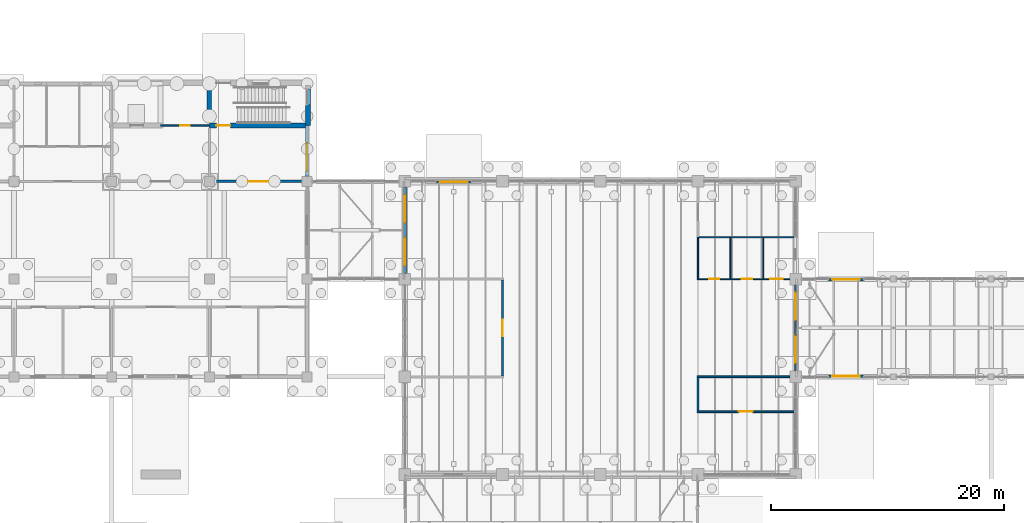
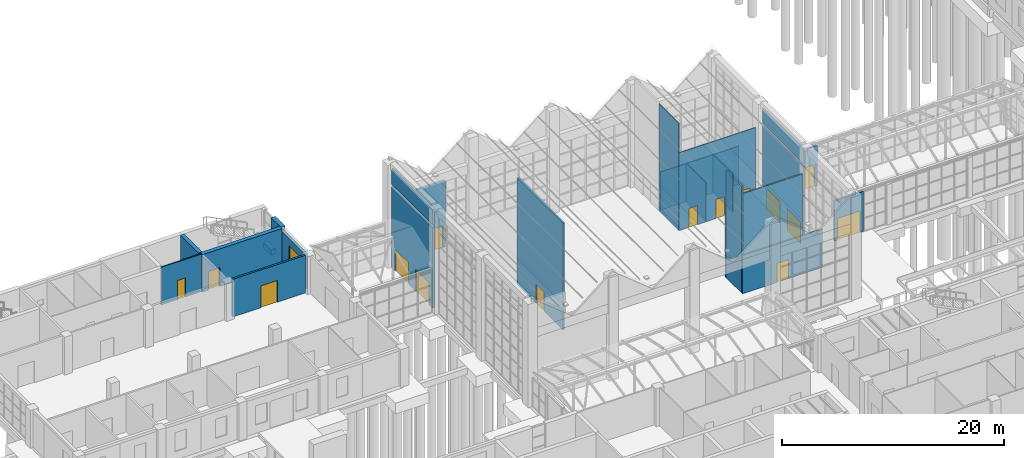
# One storey, part 110 of 138: 23 walls, 15 doors, 1 window, 16 openings.
"""IFC4 building model written with IfcOpenShell, lengths in metres."""

from ifc_helpers import new_model, si_unit, direction, frame, frame_2d, origin, place, context, subcontext, project, spatial, rectangle, extrude, material, layer, layer_set, type_object, element, fill, save


model = new_model("IFC4")

# Units and contexts
model_context = context("Model", 3, precision=1e-05, world=origin(), true_north=direction((0.0, 1.0)))
body_context = subcontext(model_context, "Body", "Model", "MODEL_VIEW")
ifc_project = project(units=[si_unit("LENGTHUNIT", "METRE"), si_unit("AREAUNIT", "SQUARE_METRE"), si_unit("VOLUMEUNIT", "CUBIC_METRE"), si_unit("PLANEANGLEUNIT", "RADIAN"), si_unit("MASSUNIT", "GRAM", prefix="KILO")], contexts=[model_context])

# Site, building, storey
site_placement = place(None, origin())
site = spatial("IfcSite", under=ifc_project, at=site_placement, CompositionType="ELEMENT")
building_placement = place(site_placement, origin())
building = spatial("IfcBuilding", under=site, at=building_placement, Name="Yavir Park General Hospital", CompositionType="ELEMENT")
storey_placement = place(building_placement, origin())
storey = spatial("IfcBuildingStorey", under=building, at=storey_placement, Name="L00", CompositionType="ELEMENT", Elevation=0.0)

# Wall, opening, door
ifc_material_1 = material(Name="Double-leaf gypsum board acoustic partition on staggered studs")
ifc_layer_1 = layer(ifc_material_1, 0.175048828125)
ifc_layer_set_1 = layer_set([ifc_layer_1], Name="Double-leaf gypsum board acoustic partition on staggered studs")
wall_type_1 = type_object("IfcWallType", Name="Acoustic partition 175", PredefinedType="PARTITIONING", material=ifc_layer_set_1)
wall_1_placement = place(storey_placement, frame((84.0, 50.487548828125, 0.0), z_axis=(0.0, 0.0, 1.0), x_axis=(0.0, 1.0, 0.0)))
wall_1 = element("IfcWall", 1, at=wall_1_placement, inside=storey, type_object=wall_type_1, Name="AP175 L00-407", PredefinedType="PARTITIONING", context=body_context, shape_type="SweptSolid", body=[
    extrude(rectangle(XDim=8.224853515625, YDim=0.175048828125, at=frame_2d((4.1123046875, 0.0))), origin(), (0.0, 0.0, 1.0), 11.717041015625),
])
opening_1_placement = place(wall_1_placement, frame((3.41259765625, 0.0, 0.0)))
opening_1 = element("IfcOpeningElement", 2, at=opening_1_placement, cuts=wall_1, Name="Opening L00.D202", PredefinedType="OPENING", context=body_context, shape_type="SweptSolid", body=[
    extrude(rectangle(XDim=1.39990234375, YDim=2.10009765625, at=frame_2d((0.699951171875, 1.050048828125))), frame((0.0, 0.097412109375, 0.0), z_axis=(0.0, -1.0, 0.0), x_axis=(1.0, 0.0, 0.0)), (0.0, 0.0, 1.0), 0.195068359375),
])
ifc_material_2 = material(Name="Hollow metal frame, solid-core timber leaf", Category="wood")
door_type_1 = type_object("IfcDoorType", Name="Double swing door 1400 x 2100", OperationType="DOUBLE_DOOR_SINGLE_SWING", PredefinedType="DOOR", material=ifc_material_2)
door_1_placement = place(opening_1_placement, origin())
door_1 = element("IfcDoor", 3, at=door_1_placement, inside=storey, type_object=door_type_1, Name="L00.D202", OperationType="SINGLE_SWING_RIGHT", OverallHeight=2.10009765625, OverallWidth=1.39990234375, PredefinedType="DOOR", context=body_context, shape_type="SweptSolid", body=[
    extrude(rectangle(XDim=1.39990234375, YDim=2.10009765625, at=frame_2d((0.699951171875, 1.050048828125))), frame((0.0, 0.02490234375, 0.0), z_axis=(0.0, -1.0, 0.0), x_axis=(1.0, 0.0, 0.0)), (0.0, 0.0, 1.0), 0.050048828125),
])
fill(opening_1, door_1)

# Wall, opening, window
ifc_material_3 = material(Name="Brick slip cladding on insulated block backing", Category="masonry")
ifc_layer_2 = layer(ifc_material_3, 0.27490234375)
ifc_layer_set_2 = layer_set([ifc_layer_2], Name="Brick slip cladding on insulated block backing")
wall_type_2 = type_object("IfcWallType", Name="Brick slip faced pavilion wall 275, E 30", PredefinedType="SOLIDWALL", material=ifc_layer_set_2)
wall_2_placement = place(storey_placement, frame((67.1875, 67.625, 0.0), z_axis=(0.0, 0.0, 1.0), x_axis=(0.0, 1.0, 0.0)))
wall_2 = element("IfcWall", 4, at=wall_2_placement, inside=storey, type_object=wall_type_2, Name="XW3 L00-147", PredefinedType="SOLIDWALL", context=body_context, shape_type="SweptSolid", body=[
    extrude(rectangle(XDim=4.375, YDim=0.27490234375, at=frame_2d((2.1875, 0.0))), origin(), (0.0, 0.0, 1.0), 3.840087890625),
])
opening_2_placement = place(wall_2_placement, frame((0.47509765625, 0.0, 0.89990234375)))
opening_2 = element("IfcOpeningElement", 5, at=opening_2_placement, cuts=wall_2, Name="Opening WF2", PredefinedType="OPENING", context=body_context, shape_type="SweptSolid", body=[
    extrude(rectangle(XDim=2.39990234375, YDim=2.10009765625, at=frame_2d((1.199951171875, 1.050048828125))), frame((0.0, 0.1474609375, 0.0), z_axis=(0.0, -1.0, 0.0), x_axis=(1.0, 0.0, 0.0)), (0.0, 0.0, 1.0), 0.294921875),
])
ifc_material_4 = material(Name="Aluminium frame, double glazed unit", Category="aluminium")
window_type = type_object("IfcWindowType", Name="Tall corridor end window 2400 x 2100", PartitioningType="DOUBLE_PANEL_VERTICAL", PredefinedType="WINDOW", material=ifc_material_4)
window_placement = place(opening_2_placement, origin())
window = element("IfcWindow", 6, at=window_placement, inside=storey, type_object=window_type, Name="WF2 L00-063", OverallHeight=2.10009765625, OverallWidth=2.39990234375, PartitioningType="DOUBLE_PANEL_VERTICAL", PredefinedType="WINDOW", context=body_context, shape_type="SweptSolid", body=[
    extrude(rectangle(XDim=2.39990234375, YDim=2.10009765625, at=frame_2d((1.199951171875, 1.050048828125))), frame((0.0, 0.030029296875, 0.0), z_axis=(0.0, -1.0, 0.0), x_axis=(1.0, 0.0, 0.0)), (0.0, 0.0, 1.0), 0.06005859375),
])
fill(opening_2, window)

# Wall, openings, doors
ifc_material_5 = material(Name="Concrete C30/37", Category="concrete")
ifc_layer_3 = layer(ifc_material_5, 0.25)
ifc_layer_set_3 = layer_set([ifc_layer_3], Name="Concrete C30/37")
wall_type_3 = type_object("IfcWallType", Name="Compartment fire wall 250, REI 150", PredefinedType="SOLIDWALL", material=ifc_layer_set_3)
wall_3_placement = place(storey_placement, frame((75.60009765625, 59.300048828125, 0.0), z_axis=(0.0, 0.0, 1.0), x_axis=(0.0, 1.0, 0.0)))
wall_3 = element("IfcWall", 7, at=wall_3_placement, inside=storey, type_object=wall_type_3, Name="FW25 L00-399", PredefinedType="SOLIDWALL", context=body_context, shape_type="SweptSolid", body=[
    extrude(rectangle(XDim=7.39990234375, YDim=0.25, at=frame_2d((3.699951171875, 0.0))), origin(), (0.0, 0.0, 1.0), 8.844970703125),
])
opening_3_placement = place(wall_3_placement, frame((0.64990234375, 0.0, 0.0)))
opening_3 = element("IfcOpeningElement", 8, at=opening_3_placement, cuts=wall_3, Name="Opening L00.D198", PredefinedType="OPENING", context=body_context, shape_type="SweptSolid", body=[
    extrude(rectangle(XDim=2.39990234375, YDim=2.39990234375, at=frame_2d((1.199951171875, 1.199951171875))), frame((0.0, 0.135009765625, 0.0), z_axis=(0.0, -1.0, 0.0), x_axis=(1.0, 0.0, 0.0)), (0.0, 0.0, 1.0), 0.27001953125),
])
opening_4_placement = place(wall_3_placement, frame((4.35009765625, 0.0, 0.0)))
opening_4 = element("IfcOpeningElement", 9, at=opening_4_placement, cuts=wall_3, Name="Opening L00.D199", PredefinedType="OPENING", context=body_context, shape_type="SweptSolid", body=[
    extrude(rectangle(XDim=2.39990234375, YDim=2.39990234375, at=frame_2d((1.199951171875, 1.199951171875))), frame((0.0, 0.135009765625, 0.0), z_axis=(0.0, -1.0, 0.0), x_axis=(1.0, 0.0, 0.0)), (0.0, 0.0, 1.0), 0.27001953125),
])
ifc_material_6 = material(Name="Steel frame, fire-resisting timber leaves", Category="steel")
door_type_2 = type_object("IfcDoorType", Name="Double fire door 2400 x 2400, EI 60", OperationType="DOUBLE_DOOR_SINGLE_SWING", PredefinedType="DOOR", material=ifc_material_6)
door_2_placement = place(opening_3_placement, origin())
door_2 = element("IfcDoor", 10, at=door_2_placement, inside=storey, type_object=door_type_2, Name="L00.D198", OperationType="SINGLE_SWING_RIGHT", OverallHeight=2.39990234375, OverallWidth=2.39990234375, PredefinedType="DOOR", context=body_context, shape_type="SweptSolid", body=[
    extrude(rectangle(XDim=2.39990234375, YDim=2.39990234375, at=frame_2d((1.199951171875, 1.199951171875))), frame((0.0, 0.02490234375, 0.0), z_axis=(0.0, -1.0, 0.0), x_axis=(1.0, 0.0, 0.0)), (0.0, 0.0, 1.0), 0.050048828125),
])
fill(opening_3, door_2)
door_3_placement = place(opening_4_placement, origin())
door_3 = element("IfcDoor", 11, at=door_3_placement, inside=storey, type_object=door_type_2, Name="L00.D199", OperationType="SINGLE_SWING_LEFT", OverallHeight=2.39990234375, OverallWidth=2.39990234375, PredefinedType="DOOR", context=body_context, shape_type="SweptSolid", body=[
    extrude(rectangle(XDim=2.39990234375, YDim=2.39990234375, at=frame_2d((1.199951171875, 1.199951171875))), frame((0.0, 0.02490234375, 0.0), z_axis=(0.0, -1.0, 0.0), x_axis=(1.0, 0.0, 0.0)), (0.0, 0.0, 1.0), 0.050048828125),
])
fill(opening_4, door_3)

# Wall
wall_4_placement = place(storey_placement, frame((75.60009765625, 59.300048828125, 9.155029296875), z_axis=(0.0, 0.0, 1.0), x_axis=(0.0, 1.0, 0.0)))
element("IfcWall", 12, at=wall_4_placement, inside=storey, type_object=wall_type_3, Name="FW25 L00-399 above B:HALL:WIND:W2", PredefinedType="SOLIDWALL", context=body_context, shape_type="SweptSolid", body=[
    extrude(rectangle(XDim=7.39990234375, YDim=0.25, at=frame_2d((3.699951171875, 0.0))), origin(), (0.0, 0.0, 1.0), 1.659912109375),
])

# Wall, opening, door
ifc_material_7 = material(Name="Double gypsum board fire partition on steel studs", Category="steel")
ifc_layer_4 = layer(ifc_material_7, 0.199951171875)
ifc_layer_set_4 = layer_set([ifc_layer_4], Name="Double gypsum board fire partition on steel studs")
wall_type_4 = type_object("IfcWallType", Name="Fire-rated partition 200, EI 60", PredefinedType="PARTITIONING", material=ifc_layer_set_4)
wall_5_placement = place(storey_placement, frame((59.22509765625, 67.199951171875, 0.0), z_axis=(0.0, 0.0, 1.0), x_axis=(1.0, 0.0, 0.0)))
wall_5 = element("IfcWall", 13, at=wall_5_placement, inside=storey, type_object=wall_type_4, Name="FP20 L00-163", PredefinedType="PARTITIONING", context=body_context, shape_type="SweptSolid", body=[
    extrude(rectangle(XDim=7.5498046875, YDim=0.199951171875, at=frame_2d((3.77490234375, 0.0))), origin(), (0.0, 0.0, 1.0), 4.139892578125),
])
opening_5_placement = place(wall_5_placement, frame((2.925048828125, 0.0, 0.0)))
opening_5 = element("IfcOpeningElement", 14, at=opening_5_placement, cuts=wall_5, Name="Opening L00.D106", PredefinedType="OPENING", context=body_context, shape_type="SweptSolid", body=[
    extrude(rectangle(XDim=1.699951171875, YDim=2.39990234375, at=frame_2d((0.85009765625, 1.199951171875))), frame((0.0, 0.10986328125, 0.0), z_axis=(0.0, -1.0, 0.0), x_axis=(1.0, 0.0, 0.0)), (0.0, 0.0, 1.0), 0.219970703125),
])
ifc_material_8 = material(Name="Steel frame, fire-resisting timber leaves", Category="steel")
door_type_3 = type_object("IfcDoorType", Name="Double fire door 1700 x 2400, EI 60", OperationType="DOUBLE_DOOR_SINGLE_SWING", PredefinedType="DOOR", material=ifc_material_8)
door_4_placement = place(opening_5_placement, origin())
door_4 = element("IfcDoor", 15, at=door_4_placement, inside=storey, type_object=door_type_3, Name="L00.D106", OperationType="SINGLE_SWING_RIGHT", OverallHeight=2.39990234375, OverallWidth=1.699951171875, PredefinedType="DOOR", context=body_context, shape_type="SweptSolid", body=[
    extrude(rectangle(XDim=1.699951171875, YDim=2.39990234375, at=frame_2d((0.85009765625, 1.199951171875))), frame((0.0, 0.02490234375, 0.0), z_axis=(0.0, -1.0, 0.0), x_axis=(1.0, 0.0, 0.0)), (0.0, 0.0, 1.0), 0.050048828125),
])
fill(opening_5, door_4)

ifc_material_9 = material(Name="Aluminium glazing frame wall with insulated infill", Category="aluminium")
ifc_layer_5 = layer(ifc_material_9, 0.199951171875)
ifc_layer_set_5 = layer_set([ifc_layer_5], Name="Aluminium glazing frame wall with insulated infill")
wall_type_5 = type_object("IfcWallType", Name="Glazing frame wall 200, E 30", PredefinedType="SOLIDWALL", material=ifc_layer_set_5)
wall_6_placement = place(storey_placement, frame((112.02490234375, 50.449951171875, 0.0), z_axis=(0.0, 0.0, 1.0), x_axis=(1.0, 0.0, 0.0)))
wall_6 = element("IfcWall", 16, at=wall_6_placement, inside=storey, type_object=wall_type_5, Name="XW9 L00-064", PredefinedType="SOLIDWALL", context=body_context, shape_type="SweptSolid", body=[
    extrude(rectangle(XDim=3.0, YDim=0.199951171875, at=frame_2d((1.5, 0.0))), origin(), (0.0, 0.0, 1.0), 4.425048828125),
])
opening_6_placement = place(wall_6_placement, frame((0.300048828125, 0.0, 0.0)))
opening_6 = element("IfcOpeningElement", 17, at=opening_6_placement, cuts=wall_6, Name="Opening L00.X16", PredefinedType="OPENING", context=body_context, shape_type="SweptSolid", body=[
    extrude(rectangle(XDim=2.39990234375, YDim=2.39990234375, at=frame_2d((1.199951171875, 1.199951171875))), frame((0.0, 0.10986328125, 0.0), z_axis=(0.0, -1.0, 0.0), x_axis=(1.0, 0.0, 0.0)), (0.0, 0.0, 1.0), 0.219970703125),
])
ifc_material_10 = material(Name="Aluminium frame, toughened glass leaves", Category="aluminium")
door_type_4 = type_object("IfcDoorType", Name="Double sliding door 2400 x 2400", OperationType="DOUBLE_DOOR_SLIDING", PredefinedType="DOOR", material=ifc_material_10)
door_5_placement = place(opening_6_placement, frame((2.39990234375, 0.0, 0.0), x_axis=(-1.0, 0.0, 0.0)))
door_5 = element("IfcDoor", 18, at=door_5_placement, inside=storey, type_object=door_type_4, Name="L00.X16", OperationType="DOUBLE_DOOR_SLIDING", OverallHeight=2.39990234375, OverallWidth=2.39990234375, PredefinedType="DOOR", context=body_context, shape_type="SweptSolid", body=[
    extrude(rectangle(XDim=2.39990234375, YDim=2.39990234375, at=frame_2d((1.199951171875, 1.199951171875))), frame((0.0, 0.02490234375, 0.0), z_axis=(0.0, -1.0, 0.0), x_axis=(1.0, 0.0, 0.0)), (0.0, 0.0, 1.0), 0.050048828125),
])
fill(opening_6, door_5)

wall_7_placement = place(storey_placement, frame((112.02490234375, 58.75, 0.0), z_axis=(0.0, 0.0, 1.0), x_axis=(1.0, 0.0, 0.0)))
wall_7 = element("IfcWall", 19, at=wall_7_placement, inside=storey, type_object=wall_type_5, Name="XW9 L00-065", PredefinedType="SOLIDWALL", context=body_context, shape_type="SweptSolid", body=[
    extrude(rectangle(XDim=3.0, YDim=0.199951171875, at=frame_2d((1.5, 0.0))), origin(), (0.0, 0.0, 1.0), 4.425048828125),
])
opening_7_placement = place(wall_7_placement, frame((0.300048828125, 0.0, 0.0)))
opening_7 = element("IfcOpeningElement", 20, at=opening_7_placement, cuts=wall_7, Name="Opening L00.X17", PredefinedType="OPENING", context=body_context, shape_type="SweptSolid", body=[
    extrude(rectangle(XDim=2.39990234375, YDim=2.39990234375, at=frame_2d((1.199951171875, 1.199951171875))), frame((0.0, 0.10986328125, 0.0), z_axis=(0.0, -1.0, 0.0), x_axis=(1.0, 0.0, 0.0)), (0.0, 0.0, 1.0), 0.219970703125),
])
door_6_placement = place(opening_7_placement, origin())
door_6 = element("IfcDoor", 21, at=door_6_placement, inside=storey, type_object=door_type_4, Name="L00.X17", OperationType="DOUBLE_DOOR_SLIDING", OverallHeight=2.39990234375, OverallWidth=2.39990234375, PredefinedType="DOOR", context=body_context, shape_type="SweptSolid", body=[
    extrude(rectangle(XDim=2.39990234375, YDim=2.39990234375, at=frame_2d((1.199951171875, 1.199951171875))), frame((0.0, 0.02490234375, 0.0), z_axis=(0.0, -1.0, 0.0), x_axis=(1.0, 0.0, 0.0)), (0.0, 0.0, 1.0), 0.050048828125),
])
fill(opening_7, door_6)

wall_8_placement = place(storey_placement, frame((78.300048828125, 67.14990234375, 0.0), z_axis=(0.0, 0.0, 1.0), x_axis=(1.0, 0.0, 0.0)))
wall_8 = element("IfcWall", 22, at=wall_8_placement, inside=storey, type_object=wall_type_5, Name="XW9 L00-066", PredefinedType="SOLIDWALL", context=body_context, shape_type="SweptSolid", body=[
    extrude(rectangle(XDim=3.0, YDim=0.199951171875, at=frame_2d((1.5, 0.0))), origin(), (0.0, 0.0, 1.0), 7.31689453125),
])
opening_8_placement = place(wall_8_placement, frame((0.300048828125, 0.0, 0.0)))
opening_8 = element("IfcOpeningElement", 23, at=opening_8_placement, cuts=wall_8, Name="Opening L00.X18", PredefinedType="OPENING", context=body_context, shape_type="SweptSolid", body=[
    extrude(rectangle(XDim=2.39990234375, YDim=2.39990234375, at=frame_2d((1.199951171875, 1.199951171875))), frame((0.0, 0.10986328125, 0.0), z_axis=(0.0, -1.0, 0.0), x_axis=(1.0, 0.0, 0.0)), (0.0, 0.0, 1.0), 0.219970703125),
])
door_7_placement = place(opening_8_placement, origin())
door_7 = element("IfcDoor", 24, at=door_7_placement, inside=storey, type_object=door_type_4, Name="L00.X18", OperationType="DOUBLE_DOOR_SLIDING", OverallHeight=2.39990234375, OverallWidth=2.39990234375, PredefinedType="DOOR", context=body_context, shape_type="SweptSolid", body=[
    extrude(rectangle(XDim=2.39990234375, YDim=2.39990234375, at=frame_2d((1.199951171875, 1.199951171875))), frame((0.0, 0.02490234375, 0.0), z_axis=(0.0, -1.0, 0.0), x_axis=(1.0, 0.0, 0.0)), (0.0, 0.0, 1.0), 0.050048828125),
])
fill(opening_8, door_7)

# Wall, openings, doors
ifc_material_11 = material(Name="Gypsum board partition on steel studs", Category="steel")
ifc_layer_6 = layer(ifc_material_11, 0.10009765625)
ifc_layer_set_6 = layer_set([ifc_layer_6], Name="Gypsum board partition on steel studs")
wall_type_6 = type_object("IfcWallType", Name="Gypsum board partition 100", PredefinedType="PARTITIONING", material=ifc_layer_set_6)
wall_9_placement = place(storey_placement, frame((100.75, 58.800048828125, 0.0), z_axis=(0.0, 0.0, 1.0), x_axis=(1.0, 0.0, 0.0)))
wall_9 = element("IfcWall", 25, at=wall_9_placement, inside=storey, type_object=wall_type_6, Name="P10 L00-146", PredefinedType="PARTITIONING", context=body_context, shape_type="SweptSolid", body=[
    extrude(rectangle(XDim=7.949951171875, YDim=0.10009765625, at=frame_2d((3.97509765625, 0.0))), origin(), (0.0, 0.0, 1.0), 8.5400390625),
])
opening_9_placement = place(wall_9_placement, frame((1.0, 0.0, 0.0)))
opening_9 = element("IfcOpeningElement", 26, at=opening_9_placement, cuts=wall_9, Name="Opening L00.D097", PredefinedType="OPENING", context=body_context, shape_type="SweptSolid", body=[
    extrude(rectangle(XDim=0.89990234375, YDim=2.10009765625, at=frame_2d((0.449951171875, 1.050048828125))), frame((0.0, 0.06005859375, 0.0), z_axis=(0.0, -1.0, 0.0), x_axis=(1.0, 0.0, 0.0)), (0.0, 0.0, 1.0), 0.1201171875),
])
opening_10_placement = place(wall_9_placement, frame((3.800048828125, 0.0, 0.0)))
opening_10 = element("IfcOpeningElement", 27, at=opening_10_placement, cuts=wall_9, Name="Opening L00.D098", PredefinedType="OPENING", context=body_context, shape_type="SweptSolid", body=[
    extrude(rectangle(XDim=0.89990234375, YDim=2.10009765625, at=frame_2d((0.449951171875, 1.050048828125))), frame((0.0, 0.06005859375, 0.0), z_axis=(0.0, -1.0, 0.0), x_axis=(1.0, 0.0, 0.0)), (0.0, 0.0, 1.0), 0.1201171875),
])
opening_11_placement = place(wall_9_placement, frame((6.25, 0.0, 0.0)))
opening_11 = element("IfcOpeningElement", 28, at=opening_11_placement, cuts=wall_9, Name="Opening L00.D099", PredefinedType="OPENING", context=body_context, shape_type="SweptSolid", body=[
    extrude(rectangle(XDim=1.10009765625, YDim=2.10009765625, at=frame_2d((0.550048828125, 1.050048828125))), frame((0.0, 0.06005859375, 0.0), z_axis=(0.0, -1.0, 0.0), x_axis=(1.0, 0.0, 0.0)), (0.0, 0.0, 1.0), 0.1201171875),
])
ifc_material_12 = material(Name="Timber frame, hollow-core leaf", Category="wood")
door_type_5 = type_object("IfcDoorType", Name="Light cupboard door 900 x 2100", OperationType="SINGLE_SWING_LEFT", PredefinedType="DOOR", material=ifc_material_12)
door_8_placement = place(opening_9_placement, origin())
door_8 = element("IfcDoor", 29, at=door_8_placement, inside=storey, type_object=door_type_5, Name="L00.D097", OperationType="SINGLE_SWING_RIGHT", OverallHeight=2.10009765625, OverallWidth=0.89990234375, PredefinedType="DOOR", context=body_context, shape_type="SweptSolid", body=[
    extrude(rectangle(XDim=0.89990234375, YDim=2.10009765625, at=frame_2d((0.449951171875, 1.050048828125))), frame((0.0, 0.02001953125, 0.0), z_axis=(0.0, -1.0, 0.0), x_axis=(1.0, 0.0, 0.0)), (0.0, 0.0, 1.0), 0.0400390625),
])
fill(opening_9, door_8)
door_9_placement = place(opening_10_placement, origin())
door_9 = element("IfcDoor", 30, at=door_9_placement, inside=storey, type_object=door_type_5, Name="L00.D098", OperationType="SINGLE_SWING_RIGHT", OverallHeight=2.10009765625, OverallWidth=0.89990234375, PredefinedType="DOOR", context=body_context, shape_type="SweptSolid", body=[
    extrude(rectangle(XDim=0.89990234375, YDim=2.10009765625, at=frame_2d((0.449951171875, 1.050048828125))), frame((0.0, 0.02001953125, 0.0), z_axis=(0.0, -1.0, 0.0), x_axis=(1.0, 0.0, 0.0)), (0.0, 0.0, 1.0), 0.0400390625),
])
fill(opening_10, door_9)
ifc_material_13 = material(Name="Hollow metal frame, solid-core timber leaf", Category="wood")
door_type_6 = type_object("IfcDoorType", Name="Single swing door 1100 x 2100", OperationType="SINGLE_SWING_LEFT", PredefinedType="DOOR", material=ifc_material_13)
door_10_placement = place(opening_11_placement, origin())
door_10 = element("IfcDoor", 31, at=door_10_placement, inside=storey, type_object=door_type_6, Name="L00.D099", OperationType="SINGLE_SWING_RIGHT", OverallHeight=2.10009765625, OverallWidth=1.10009765625, PredefinedType="DOOR", context=body_context, shape_type="SweptSolid", body=[
    extrude(rectangle(XDim=1.10009765625, YDim=2.10009765625, at=frame_2d((0.550048828125, 1.050048828125))), frame((0.0, 0.02490234375, 0.0), z_axis=(0.0, -1.0, 0.0), x_axis=(1.0, 0.0, 0.0)), (0.0, 0.0, 1.0), 0.050048828125),
])
fill(opening_11, door_10)

# Walls
wall_10_placement = place(storey_placement, frame((100.875, 62.39990234375, 0.0), z_axis=(0.0, 0.0, 1.0), x_axis=(1.0, 0.0, 0.0)))
element("IfcWall", 32, at=wall_10_placement, inside=storey, type_object=wall_type_6, Name="P10 L00-151", PredefinedType="PARTITIONING", context=body_context, shape_type="SweptSolid", body=[
    extrude(rectangle(XDim=8.175048828125, YDim=0.10009765625, at=frame_2d((4.08740234375, 0.0))), origin(), (0.0, 0.0, 1.0), 4.199951171875),
])
wall_11_placement = place(storey_placement, frame((100.800048828125, 58.85009765625, 0.0), z_axis=(0.0, 0.0, 1.0), x_axis=(0.0, 1.0, 0.0)))
element("IfcWall", 33, at=wall_11_placement, inside=storey, type_object=wall_type_6, Name="P10 L00-424", PredefinedType="PARTITIONING", context=body_context, shape_type="SweptSolid", body=[
    extrude(rectangle(XDim=3.5498046875, YDim=0.10009765625, at=frame_2d((1.77490234375, 0.0))), origin(), (0.0, 0.0, 1.0), 11.717041015625),
])
for number, where, z_axis, x_axis, name in (
    (34, (103.60009765625, 58.85009765625, 0.0), (0.0, 0.0, 1.0), (0.0, 1.0, 0.0), "P10 L00-426"),
    (35, (106.39990234375, 58.85009765625, 0.0), (0.0, 0.0, 1.0), (0.0, 1.0, 0.0), "P10 L00-430"),
):
    element("IfcWall", number, at=place(storey_placement, frame(where, z_axis=z_axis, x_axis=x_axis)), inside=storey, type_object=wall_type_6, Name=name, PredefinedType="PARTITIONING", context=body_context, shape_type="SweptSolid", body=[
        extrude(rectangle(XDim=3.5, YDim=0.10009765625, at=frame_2d((1.75, 0.0))), origin(), (0.0, 0.0, 1.0), 4.199951171875),
    ])

# Wall, opening, door
ifc_material_14 = material(Name="Gypsum board partition on steel studs", Category="steel")
ifc_layer_7 = layer(ifc_material_14, 0.14990234375)
ifc_layer_set_7 = layer_set([ifc_layer_7], Name="Gypsum board partition on steel studs")
wall_type_7 = type_object("IfcWallType", Name="Gypsum board partition 150", PredefinedType="PARTITIONING", material=ifc_layer_set_7)
wall_12_placement = place(storey_placement, frame((100.72509765625, 47.39990234375, 0.0), z_axis=(0.0, 0.0, 1.0), x_axis=(1.0, 0.0, 0.0)))
wall_12 = element("IfcWall", 36, at=wall_12_placement, inside=storey, type_object=wall_type_7, Name="P15 L00-120", PredefinedType="PARTITIONING", context=body_context, shape_type="SweptSolid", body=[
    extrude(rectangle(XDim=8.324951171875, YDim=0.14990234375, at=frame_2d((4.16259765625, 0.0))), origin(), (0.0, 0.0, 1.0), 4.199951171875),
])
opening_12_placement = place(wall_12_placement, frame((3.60009765625, 0.0, 0.0)))
opening_12 = element("IfcOpeningElement", 37, at=opening_12_placement, cuts=wall_12, Name="Opening L00.D087", PredefinedType="OPENING", context=body_context, shape_type="SweptSolid", body=[
    extrude(rectangle(XDim=1.199951171875, YDim=2.10009765625, at=frame_2d((0.60009765625, 1.050048828125))), frame((0.0, 0.0849609375, 0.0), z_axis=(0.0, -1.0, 0.0), x_axis=(1.0, 0.0, 0.0)), (0.0, 0.0, 1.0), 0.169921875),
])
ifc_material_15 = material(Name="Hollow metal frame, solid-core timber leaf", Category="wood")
door_type_7 = type_object("IfcDoorType", Name="Single swing door 1200 x 2100", OperationType="SINGLE_SWING_LEFT", PredefinedType="DOOR", material=ifc_material_15)
door_11_placement = place(opening_12_placement, origin())
door_11 = element("IfcDoor", 38, at=door_11_placement, inside=storey, type_object=door_type_7, Name="L00.D087", OperationType="SINGLE_SWING_RIGHT", OverallHeight=2.10009765625, OverallWidth=1.199951171875, PredefinedType="DOOR", context=body_context, shape_type="SweptSolid", body=[
    extrude(rectangle(XDim=1.199951171875, YDim=2.10009765625, at=frame_2d((0.60009765625, 1.050048828125))), frame((0.0, 0.02490234375, 0.0), z_axis=(0.0, -1.0, 0.0), x_axis=(1.0, 0.0, 0.0)), (0.0, 0.0, 1.0), 0.050048828125),
])
fill(opening_12, door_11)

# Walls
wall_13_placement = place(storey_placement, frame((100.72509765625, 50.39990234375, 0.0), z_axis=(0.0, 0.0, 1.0), x_axis=(1.0, 0.0, 0.0)))
element("IfcWall", 39, at=wall_13_placement, inside=storey, type_object=wall_type_7, Name="P15 L00-129", PredefinedType="PARTITIONING", context=body_context, shape_type="SweptSolid", body=[
    extrude(rectangle(XDim=7.974853515625, YDim=0.14990234375, at=frame_2d((3.9873046875, 0.0))), origin(), (0.0, 0.0, 1.0), 8.550048828125),
])
wall_14_placement = place(storey_placement, frame((100.800048828125, 47.47509765625, 0.0), z_axis=(0.0, 0.0, 1.0), x_axis=(0.0, 1.0, 0.0)))
element("IfcWall", 40, at=wall_14_placement, inside=storey, type_object=wall_type_7, Name="P15 L00-423", PredefinedType="PARTITIONING", context=body_context, shape_type="SweptSolid", body=[
    extrude(rectangle(XDim=2.849853515625, YDim=0.14990234375, at=frame_2d((1.4248046875, 0.0))), origin(), (0.0, 0.0, 1.0), 11.717041015625),
])

# Wall, openings, doors
wall_15_placement = place(storey_placement, frame((109.199951171875, 50.89990234375, 0.0), z_axis=(0.0, 0.0, 1.0), x_axis=(0.0, 1.0, 0.0)))
wall_15 = element("IfcWall", 41, at=wall_15_placement, inside=storey, type_object=wall_type_7, Name="P15 L00-435", PredefinedType="PARTITIONING", context=body_context, shape_type="SweptSolid", body=[
    extrude(rectangle(XDim=7.400146484375, YDim=0.14990234375, at=frame_2d((3.7001953125, 0.0))), origin(), (0.0, 0.0, 1.0), 8.844970703125),
])
opening_13_placement = place(wall_15_placement, frame((0.64990234375, 0.0, 0.0)))
opening_13 = element("IfcOpeningElement", 42, at=opening_13_placement, cuts=wall_15, Name="Opening L00.D207", PredefinedType="OPENING", context=body_context, shape_type="SweptSolid", body=[
    extrude(rectangle(XDim=2.39990234375, YDim=2.39990234375, at=frame_2d((1.199951171875, 1.199951171875))), frame((0.0, 0.0849609375, 0.0), z_axis=(0.0, -1.0, 0.0), x_axis=(1.0, 0.0, 0.0)), (0.0, 0.0, 1.0), 0.169921875),
])
opening_14_placement = place(wall_15_placement, frame((4.35009765625, 0.0, 0.0)))
opening_14 = element("IfcOpeningElement", 43, at=opening_14_placement, cuts=wall_15, Name="Opening L00.D208", PredefinedType="OPENING", context=body_context, shape_type="SweptSolid", body=[
    extrude(rectangle(XDim=2.39990234375, YDim=2.39990234375, at=frame_2d((1.199951171875, 1.199951171875))), frame((0.0, 0.0849609375, 0.0), z_axis=(0.0, -1.0, 0.0), x_axis=(1.0, 0.0, 0.0)), (0.0, 0.0, 1.0), 0.169921875),
])
door_12_placement = place(opening_13_placement, origin())
door_12 = element("IfcDoor", 44, at=door_12_placement, inside=storey, type_object=door_type_4, Name="L00.D207", OperationType="DOUBLE_DOOR_SLIDING", OverallHeight=2.39990234375, OverallWidth=2.39990234375, PredefinedType="DOOR", context=body_context, shape_type="SweptSolid", body=[
    extrude(rectangle(XDim=2.39990234375, YDim=2.39990234375, at=frame_2d((1.199951171875, 1.199951171875))), frame((0.0, 0.02490234375, 0.0), z_axis=(0.0, -1.0, 0.0), x_axis=(1.0, 0.0, 0.0)), (0.0, 0.0, 1.0), 0.050048828125),
])
fill(opening_13, door_12)
door_13_placement = place(opening_14_placement, origin())
door_13 = element("IfcDoor", 45, at=door_13_placement, inside=storey, type_object=door_type_4, Name="L00.D208", OperationType="DOUBLE_DOOR_SLIDING", OverallHeight=2.39990234375, OverallWidth=2.39990234375, PredefinedType="DOOR", context=body_context, shape_type="SweptSolid", body=[
    extrude(rectangle(XDim=2.39990234375, YDim=2.39990234375, at=frame_2d((1.199951171875, 1.199951171875))), frame((0.0, 0.02490234375, 0.0), z_axis=(0.0, -1.0, 0.0), x_axis=(1.0, 0.0, 0.0)), (0.0, 0.0, 1.0), 0.050048828125),
])
fill(opening_14, door_13)

# Wall
wall_16_placement = place(storey_placement, frame((109.199951171875, 50.89990234375, 9.155029296875), z_axis=(0.0, 0.0, 1.0), x_axis=(0.0, 1.0, 0.0)))
element("IfcWall", 46, at=wall_16_placement, inside=storey, type_object=wall_type_7, Name="P15 L00-435 above B:HALL:WIND:E1", PredefinedType="PARTITIONING", context=body_context, shape_type="SweptSolid", body=[
    extrude(rectangle(XDim=7.400146484375, YDim=0.14990234375, at=frame_2d((3.7001953125, 0.0))), origin(), (0.0, 0.0, 1.0), 1.659912109375),
])

# Wall, opening, door
ifc_material_16 = material(Name="Concrete C35/45", Category="concrete")
ifc_layer_8 = layer(ifc_material_16, 0.39990234375)
ifc_layer_set_8 = layer_set([ifc_layer_8], Name="Concrete C35/45")
wall_type_8 = type_object("IfcWallType", Name="Reinforced concrete core wall 400, REI 150", PredefinedType="SHEAR", material=ifc_layer_set_8)
wall_17_placement = place(storey_placement, frame((58.800048828125, 72.0, 0.0), z_axis=(0.0, 0.0, 1.0), x_axis=(1.0, 0.0, 0.0)))
wall_17 = element("IfcWall", 47, at=wall_17_placement, inside=storey, type_object=wall_type_8, Name="CW40 L00-174", PredefinedType="SHEAR", context=body_context, shape_type="SweptSolid", body=[
    extrude(rectangle(XDim=8.25, YDim=0.39990234375, at=frame_2d((4.125, 0.0))), origin(), (0.0, 0.0, 1.0), 4.139892578125),
])
opening_15_placement = place(wall_17_placement, frame((0.60009765625, 0.0, 0.0)))
opening_15 = element("IfcOpeningElement", 48, at=opening_15_placement, cuts=wall_17, Name="Opening L00.D114", PredefinedType="OPENING", context=body_context, shape_type="SweptSolid", body=[
    extrude(rectangle(XDim=1.199951171875, YDim=2.10009765625, at=frame_2d((0.60009765625, 1.050048828125))), frame((0.0, 0.2099609375, 0.0), z_axis=(0.0, -1.0, 0.0), x_axis=(1.0, 0.0, 0.0)), (0.0, 0.0, 1.0), 0.419921875),
])
ifc_material_17 = material(Name="Steel frame, fire-resisting timber leaf", Category="steel")
door_type_8 = type_object("IfcDoorType", Name="Fire door 1200 x 2100, EI 60", OperationType="SINGLE_SWING_LEFT", PredefinedType="DOOR", material=ifc_material_17)
door_14_placement = place(opening_15_placement, origin())
door_14 = element("IfcDoor", 49, at=door_14_placement, inside=storey, type_object=door_type_8, Name="L00.D114", OperationType="SINGLE_SWING_LEFT", OverallHeight=2.10009765625, OverallWidth=1.199951171875, PredefinedType="DOOR", context=body_context, shape_type="SweptSolid", body=[
    extrude(rectangle(XDim=1.199951171875, YDim=2.10009765625, at=frame_2d((0.60009765625, 1.050048828125))), frame((0.0, 0.02490234375, 0.0), z_axis=(0.0, -1.0, 0.0), x_axis=(1.0, 0.0, 0.0)), (0.0, 0.0, 1.0), 0.050048828125),
])
fill(opening_15, door_14)

# Wall
wall_18_placement = place(storey_placement, frame((58.800048828125, 72.199951171875, 0.0), z_axis=(0.0, 0.0, 1.0), x_axis=(0.0, 1.0, 0.0)))
element("IfcWall", 50, at=wall_18_placement, inside=storey, type_object=wall_type_8, Name="CW40 L00-380", PredefinedType="SHEAR", context=body_context, shape_type="SweptSolid", body=[
    extrude(rectangle(XDim=3.25, YDim=0.39990234375, at=frame_2d((1.625, 0.0))), origin(), (0.0, 0.0, 1.0), 4.139892578125),
])

# Wall, opening, door
ifc_material_18 = material(Name="Gypsum shaft wall system on steel studs", Category="steel")
ifc_layer_9 = layer(ifc_material_18, 0.125)
ifc_layer_set_9 = layer_set([ifc_layer_9], Name="Gypsum shaft wall system on steel studs")
wall_type_9 = type_object("IfcWallType", Name="Shaft wall 125, EI 90", PredefinedType="SOLIDWALL", material=ifc_layer_set_9)
wall_19_placement = place(storey_placement, frame((54.60009765625, 72.0, 0.0), z_axis=(0.0, 0.0, 1.0), x_axis=(1.0, 0.0, 0.0)))
wall_19 = element("IfcWall", 51, at=wall_19_placement, inside=storey, type_object=wall_type_9, Name="SW125 L00-173", PredefinedType="SOLIDWALL", context=body_context, shape_type="SweptSolid", body=[
    extrude(rectangle(XDim=4.199951171875, YDim=0.125, at=frame_2d((2.10009765625, 0.0))), origin(), (0.0, 0.0, 1.0), 4.139892578125),
])
opening_16_placement = place(wall_19_placement, frame((1.699951171875, 0.0, 0.0)))
opening_16 = element("IfcOpeningElement", 52, at=opening_16_placement, cuts=wall_19, Name="Opening L00.D113", PredefinedType="OPENING", context=body_context, shape_type="SweptSolid", body=[
    extrude(rectangle(XDim=0.800048828125, YDim=2.10009765625, at=frame_2d((0.39990234375, 1.050048828125))), frame((0.0, 0.072509765625, 0.0), z_axis=(0.0, -1.0, 0.0), x_axis=(1.0, 0.0, 0.0)), (0.0, 0.0, 1.0), 0.14501953125),
])
ifc_material_19 = material(Name="Steel frame, fire-resisting access leaf", Category="steel")
door_type_9 = type_object("IfcDoorType", Name="Fire-resisting riser access door 800 x 2100, EI 90", OperationType="SINGLE_SWING_LEFT", PredefinedType="DOOR", material=ifc_material_19)
door_15_placement = place(opening_16_placement, origin())
door_15 = element("IfcDoor", 53, at=door_15_placement, inside=storey, type_object=door_type_9, Name="L00.D113", OperationType="SINGLE_SWING_RIGHT", OverallHeight=2.10009765625, OverallWidth=0.800048828125, PredefinedType="DOOR", context=body_context, shape_type="SweptSolid", body=[
    extrude(rectangle(XDim=0.800048828125, YDim=2.10009765625, at=frame_2d((0.39990234375, 1.050048828125))), frame((0.0, 0.030029296875, 0.0), z_axis=(0.0, -1.0, 0.0), x_axis=(1.0, 0.0, 0.0)), (0.0, 0.0, 1.0), 0.06005859375),
])
fill(opening_16, door_15)

# Walls
ifc_material_20 = material(Name="Concrete C30/37 precast panel with 150 mm mineral wool insulation", Category="concrete")
ifc_layer_10 = layer(ifc_material_20, 0.449951171875)
ifc_layer_set_10 = layer_set([ifc_layer_10], Name="Concrete C30/37 precast panel with 150 mm mineral wool insulation")
wall_type_10 = type_object("IfcWallType", Name="Stair enclosure wall 450, REI 150", PredefinedType="SOLIDWALL", material=ifc_layer_set_10)
wall_20_placement = place(storey_placement, frame((67.27490234375, 72.0, 0.0), z_axis=(0.0, 0.0, 1.0), x_axis=(0.0, 1.0, 0.0)))
element("IfcWall", 54, at=wall_20_placement, inside=storey, type_object=wall_type_10, Name="XW6 L00-148", PredefinedType="SOLIDWALL", context=body_context, shape_type="SweptSolid", body=[
    extrude(rectangle(XDim=1.75, YDim=0.449951171875, at=frame_2d((0.875, 0.0))), origin(), (0.0, 0.0, 1.0), 4.139892578125),
])
wall_21_placement = place(storey_placement, frame((67.27490234375, 73.75, 0.0), z_axis=(0.0, 0.0, 1.0), x_axis=(0.0, 1.0, 0.0)))
element("IfcWall", 55, at=wall_21_placement, inside=storey, type_object=wall_type_10, Name="XW6 L00-150", PredefinedType="SOLIDWALL", context=body_context, shape_type="SweptSolid", body=[
    extrude(rectangle(XDim=1.39990234375, YDim=0.449951171875, at=frame_2d((0.699951171875, 0.0))), origin(), (0.0, 0.0, 1.0), 0.60009765625),
])

save(model, "model.ifc")
